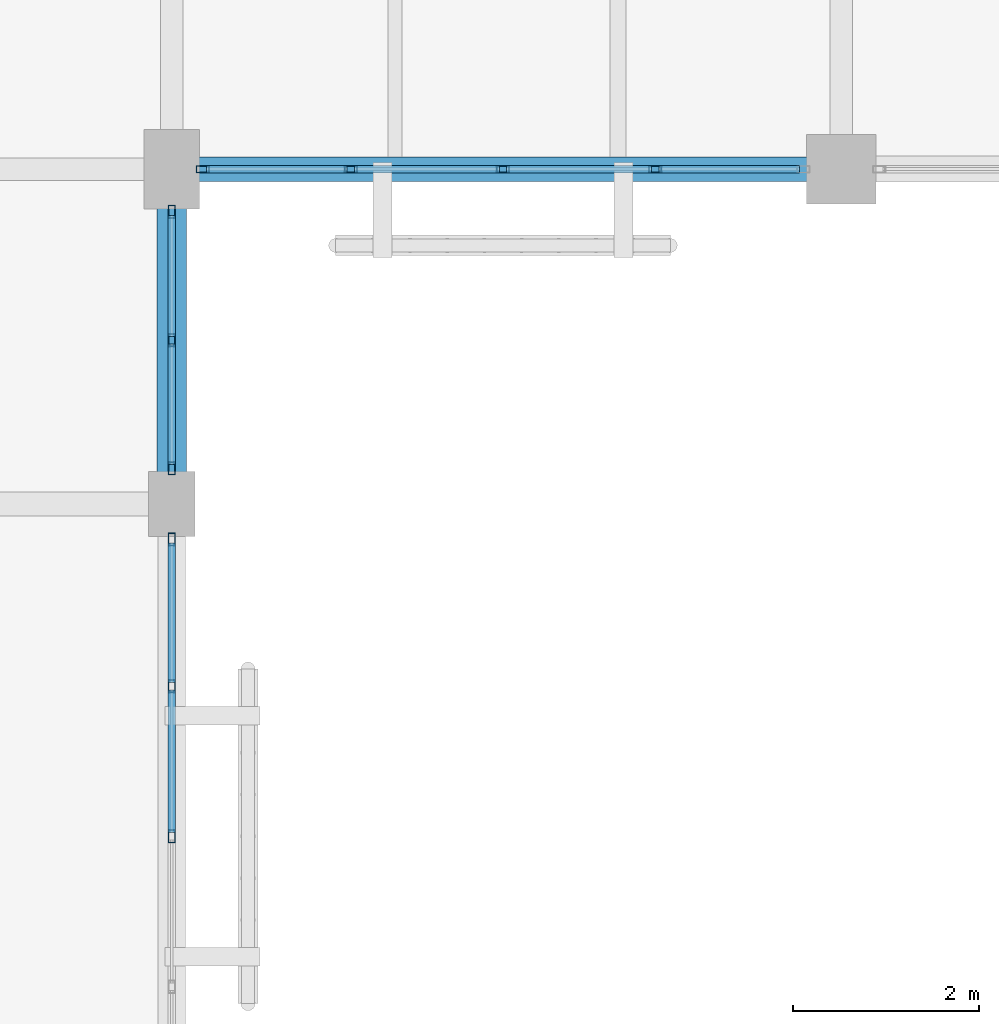
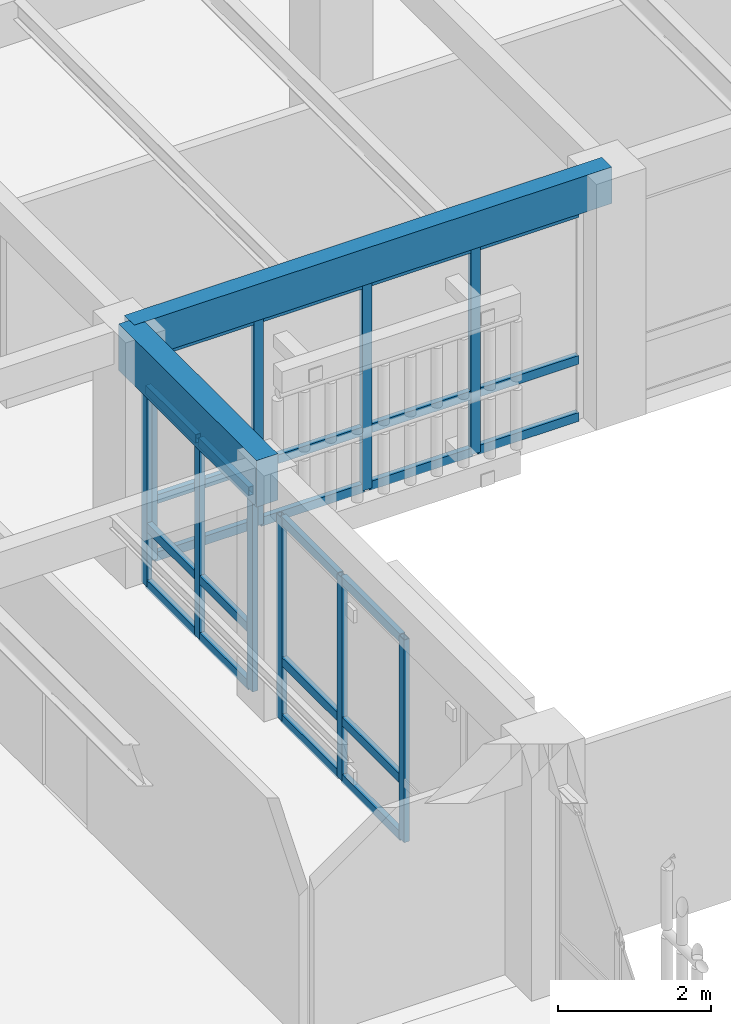
# One storey, part 106 of 170: 34 members, 2 beams, 3 elements without a shape of their own.
"""IFC4 building model written with IfcOpenShell, lengths in metres."""

from ifc_helpers import new_model, si_unit, direction, frame, origin, origin_2d, place, context, subcontext, project, spatial, rectangle, hollow_rectangle, extrude, material, layer, layer_set, material_profile, profile_set, type_object, element, aggregate, save


model = new_model("IFC4")

# Units and contexts
model_context = context("Model", 3, precision=1e-05, world=origin(), true_north=direction((0.0, 1.0)))
body_context = subcontext(model_context, "Body", "Model", "MODEL_VIEW")
ifc_project = project(units=[si_unit("LENGTHUNIT", "METRE"), si_unit("AREAUNIT", "SQUARE_METRE"), si_unit("VOLUMEUNIT", "CUBIC_METRE"), si_unit("PLANEANGLEUNIT", "RADIAN"), si_unit("MASSUNIT", "GRAM", prefix="KILO")], contexts=[model_context])

# Site, building, storey
site_placement = place(None, origin())
site = spatial("IfcSite", under=ifc_project, at=site_placement, CompositionType="ELEMENT")
building_placement = place(site_placement, origin())
building = spatial("IfcBuilding", under=site, at=building_placement, Name="Mazaris Harbour Polytechnic", CompositionType="ELEMENT")
storey_placement = place(building_placement, frame((0.0, 0.0, 5.39990234375)))
storey = spatial("IfcBuildingStorey", under=building, at=storey_placement, Name="L01", CompositionType="ELEMENT", Elevation=5.39990234375)

# Curtain wall, members
ifc_material_1 = material(Name="Anodised Bronze Aluminium and Low-E Glass", Category="aluminium")
ifc_layer = layer(ifc_material_1, 0.169921875, Name="Anodised Bronze Aluminium and Low-E Glass")
ifc_layer_set = layer_set([ifc_layer], Name="Anodised Bronze Aluminium and Low-E Glass")
curtain_wall_type = type_object("IfcCurtainWallType", Name="Studio North-Light Curtain Wall", PredefinedType="NOTDEFINED", material=ifc_layer_set)
curtain_wall_1_placement = place(storey_placement, origin())
curtain_wall_1 = element("IfcCurtainWall", 1, at=curtain_wall_1_placement, inside=storey, type_object=curtain_wall_type, Name="V5 L01 Curtain Wall 216", PredefinedType="NOTDEFINED")
ifc_material_2 = material(Name="Anodised Bronze Steel S355", Category="steel")
ifc_material_profile_1 = material_profile(ifc_material_2, hollow_rectangle(XDim=0.080078125, YDim=0.139892578125, WallThickness=0.00634765625, at=origin_2d()), Name="RHS 80x140x6.3")
ifc_profile_set_1 = profile_set([ifc_material_profile_1], Name="Anodised Bronze Steel S355")
member_type_1 = type_object("IfcMemberType", Name="Curtain Mullion RHS80x140", PredefinedType="MULLION", material=ifc_profile_set_1)
member_1_placement = place(storey_placement, frame((141.997802734375, 86.39990234375, 0.0), z_axis=(0.0, 0.0, 1.0), x_axis=(0.0, -1.0, 0.0)))
member_1 = element("IfcMember", 2, at=member_1_placement, type_object=member_type_1, Name="CW-03 mullion 2", PredefinedType="MULLION", context=body_context, shape_type="SweptSolid", body=[
    extrude(hollow_rectangle(XDim=0.080078125, YDim=0.139892578125, WallThickness=0.00634765625, at=origin_2d()), origin(), (0.0, 0.0, 1.0), 3.330078125),
])
member_2_placement = place(storey_placement, frame((140.362548828125, 86.39990234375, 0.0), z_axis=(0.0, 0.0, 1.0), x_axis=(0.0, -1.0, 0.0)))
member_2 = element("IfcMember", 3, at=member_2_placement, type_object=member_type_1, Name="CW-03 mullion 3", PredefinedType="MULLION", context=body_context, shape_type="SweptSolid", body=[
    extrude(hollow_rectangle(XDim=0.080078125, YDim=0.139892578125, WallThickness=0.00634765625, at=origin_2d()), origin(), (0.0, 0.0, 1.0), 3.330078125),
])
member_3_placement = place(storey_placement, frame((138.727294921875, 86.39990234375, 0.0), z_axis=(0.0, 0.0, 1.0), x_axis=(0.0, -1.0, 0.0)))
member_3 = element("IfcMember", 4, at=member_3_placement, type_object=member_type_1, Name="CW-03 mullion 4", PredefinedType="MULLION", context=body_context, shape_type="SweptSolid", body=[
    extrude(hollow_rectangle(XDim=0.080078125, YDim=0.139892578125, WallThickness=0.00634765625, at=origin_2d()), origin(), (0.0, 0.0, 1.0), 3.330078125),
])
member_4_placement = place(storey_placement, frame((137.132080078125, 86.39990234375, 0.0), z_axis=(0.0, 0.0, 1.0), x_axis=(0.0, -1.0, 0.0)))
member_4 = element("IfcMember", 5, at=member_4_placement, type_object=member_type_1, Name="CW-03 mullion 5", PredefinedType="MULLION", context=body_context, shape_type="SweptSolid", body=[
    extrude(hollow_rectangle(XDim=0.080078125, YDim=0.139892578125, WallThickness=0.00634765625, at=origin_2d()), origin(), (0.0, 0.0, 1.0), 3.330078125),
])

curtain_wall_2_placement = place(storey_placement, origin())
curtain_wall_2 = element("IfcCurtainWall", 6, at=curtain_wall_2_placement, inside=storey, type_object=curtain_wall_type, Name="V5 L01 Curtain Wall 221", PredefinedType="NOTDEFINED")
member_5_placement = place(storey_placement, frame((136.800048828125, 79.22509765625, 0.0), z_axis=(0.0, 0.0, 1.0), x_axis=(-1.0, 0.0, 0.0)))
member_5 = element("IfcMember", 7, at=member_5_placement, type_object=member_type_1, Name="CW-03 mullion 3", PredefinedType="MULLION", context=body_context, shape_type="SweptSolid", body=[
    extrude(hollow_rectangle(XDim=0.080078125, YDim=0.139892578125, WallThickness=0.00634765625, at=origin_2d()), origin(), (0.0, 0.0, 1.0), 3.22998046875),
])
member_6_placement = place(storey_placement, frame((136.800048828125, 80.841552734375, 0.0), z_axis=(0.0, 0.0, 1.0), x_axis=(-1.0, 0.0, 0.0)))
member_6 = element("IfcMember", 8, at=member_6_placement, type_object=member_type_1, Name="CW-03 mullion 4", PredefinedType="MULLION", context=body_context, shape_type="SweptSolid", body=[
    extrude(hollow_rectangle(XDim=0.080078125, YDim=0.139892578125, WallThickness=0.00634765625, at=origin_2d()), origin(), (0.0, 0.0, 1.0), 3.22998046875),
])
member_7_placement = place(storey_placement, frame((136.800048828125, 82.41796875, 0.0), z_axis=(0.0, 0.0, 1.0), x_axis=(-1.0, 0.0, 0.0)))
member_7 = element("IfcMember", 9, at=member_7_placement, type_object=member_type_1, Name="CW-03 mullion 5", PredefinedType="MULLION", context=body_context, shape_type="SweptSolid", body=[
    extrude(hollow_rectangle(XDim=0.080078125, YDim=0.139892578125, WallThickness=0.00634765625, at=origin_2d()), origin(), (0.0, 0.0, 1.0), 3.22998046875),
])

curtain_wall_3_placement = place(storey_placement, origin())
curtain_wall_3 = element("IfcCurtainWall", 10, at=curtain_wall_3_placement, inside=storey, type_object=curtain_wall_type, Name="V5 L01 Curtain Wall 222", PredefinedType="NOTDEFINED")
member_8_placement = place(storey_placement, frame((136.800048828125, 83.181884765625, 0.0), z_axis=(0.0, 0.0, 1.0), x_axis=(-1.0, 0.0, 0.0)))
member_8 = element("IfcMember", 11, at=member_8_placement, type_object=member_type_1, Name="CW-03 mullion 1", PredefinedType="MULLION", context=body_context, shape_type="SweptSolid", body=[
    extrude(hollow_rectangle(XDim=0.080078125, YDim=0.139892578125, WallThickness=0.00634765625, at=origin_2d()), origin(), (0.0, 0.0, 1.0), 3.170166015625),
])
member_9_placement = place(storey_placement, frame((136.800048828125, 84.5625, 0.0), z_axis=(0.0, 0.0, 1.0), x_axis=(-1.0, 0.0, 0.0)))
member_9 = element("IfcMember", 12, at=member_9_placement, type_object=member_type_1, Name="CW-03 mullion 2", PredefinedType="MULLION", context=body_context, shape_type="SweptSolid", body=[
    extrude(hollow_rectangle(XDim=0.080078125, YDim=0.139892578125, WallThickness=0.00634765625, at=origin_2d()), origin(), (0.0, 0.0, 1.0), 3.170166015625),
])
member_10_placement = place(storey_placement, frame((136.800048828125, 85.943115234375, 0.0), z_axis=(0.0, 0.0, 1.0), x_axis=(-1.0, 0.0, 0.0)))
member_10 = element("IfcMember", 13, at=member_10_placement, type_object=member_type_1, Name="CW-03 mullion 3", PredefinedType="MULLION", context=body_context, shape_type="SweptSolid", body=[
    extrude(hollow_rectangle(XDim=0.080078125, YDim=0.139892578125, WallThickness=0.00634765625, at=origin_2d()), origin(), (0.0, 0.0, 1.0), 3.170166015625),
])

# Member
ifc_material_3 = material(Name="Anodised Bronze Steel S355", Category="steel")
ifc_material_profile_2 = material_profile(ifc_material_3, hollow_rectangle(XDim=0.080078125, YDim=0.139892578125, WallThickness=0.00634765625, at=origin_2d()), Name="RHS 80x140x6.3")
ifc_profile_set_2 = profile_set([ifc_material_profile_2], Name="Anodised Bronze Steel S355")
member_type_2 = type_object("IfcMemberType", Name="Curtain Transom RHS80x140", PredefinedType="USERDEFINED", material=ifc_profile_set_2)
member_11_placement = place(storey_placement, frame((143.552978515625, 86.39990234375, 0.0400390625), z_axis=(-1.0, 0.0, 0.0), x_axis=(0.0, -1.0, 0.0)))
member_11 = element("IfcMember", 14, at=member_11_placement, type_object=member_type_2, Name="CW-03 transom 1.1", ObjectType="TRANSOM", PredefinedType="USERDEFINED", context=body_context, shape_type="SweptSolid", body=[
    extrude(hollow_rectangle(XDim=0.080078125, YDim=0.139892578125, WallThickness=0.00634765625, at=origin_2d()), origin(), (0.0, 0.0, 1.0), 1.51513671875),
])

member_12_placement = place(storey_placement, frame((143.552978515625, 86.39990234375, 0.9501953125), z_axis=(-1.0, 0.0, 0.0), x_axis=(0.0, -1.0, 0.0)))
member_12 = element("IfcMember", 15, at=member_12_placement, type_object=member_type_2, Name="CW-03 transom 1.2", ObjectType="TRANSOM", PredefinedType="USERDEFINED", context=body_context, shape_type="SweptSolid", body=[
    extrude(hollow_rectangle(XDim=0.080078125, YDim=0.139892578125, WallThickness=0.00634765625, at=origin_2d()), origin(), (0.0, 0.0, 1.0), 1.51513671875),
])

member_13_placement = place(storey_placement, frame((143.552978515625, 86.39990234375, 3.2900390625), z_axis=(-1.0, 0.0, 0.0), x_axis=(0.0, -1.0, 0.0)))
member_13 = element("IfcMember", 16, at=member_13_placement, type_object=member_type_2, Name="CW-03 transom 1.3", ObjectType="TRANSOM", PredefinedType="USERDEFINED", context=body_context, shape_type="SweptSolid", body=[
    extrude(hollow_rectangle(XDim=0.080078125, YDim=0.139892578125, WallThickness=0.00634765625, at=origin_2d()), origin(), (0.0, 0.0, 1.0), 1.51513671875),
])

member_14_placement = place(storey_placement, frame((141.957763671875, 86.39990234375, 0.0400390625), z_axis=(-1.0, 0.0, 0.0), x_axis=(0.0, -1.0, 0.0)))
member_14 = element("IfcMember", 17, at=member_14_placement, type_object=member_type_2, Name="CW-03 transom 2.1", ObjectType="TRANSOM", PredefinedType="USERDEFINED", context=body_context, shape_type="SweptSolid", body=[
    extrude(hollow_rectangle(XDim=0.080078125, YDim=0.139892578125, WallThickness=0.00634765625, at=origin_2d()), origin(), (0.0, 0.0, 1.0), 1.55517578125),
])

member_15_placement = place(storey_placement, frame((141.957763671875, 86.39990234375, 0.9501953125), z_axis=(-1.0, 0.0, 0.0), x_axis=(0.0, -1.0, 0.0)))
member_15 = element("IfcMember", 18, at=member_15_placement, type_object=member_type_2, Name="CW-03 transom 2.2", ObjectType="TRANSOM", PredefinedType="USERDEFINED", context=body_context, shape_type="SweptSolid", body=[
    extrude(hollow_rectangle(XDim=0.080078125, YDim=0.139892578125, WallThickness=0.00634765625, at=origin_2d()), origin(), (0.0, 0.0, 1.0), 1.55517578125),
])

member_16_placement = place(storey_placement, frame((141.957763671875, 86.39990234375, 3.2900390625), z_axis=(-1.0, 0.0, 0.0), x_axis=(0.0, -1.0, 0.0)))
member_16 = element("IfcMember", 19, at=member_16_placement, type_object=member_type_2, Name="CW-03 transom 2.3", ObjectType="TRANSOM", PredefinedType="USERDEFINED", context=body_context, shape_type="SweptSolid", body=[
    extrude(hollow_rectangle(XDim=0.080078125, YDim=0.139892578125, WallThickness=0.00634765625, at=origin_2d()), origin(), (0.0, 0.0, 1.0), 1.55517578125),
])

member_17_placement = place(storey_placement, frame((140.322509765625, 86.39990234375, 0.0400390625), z_axis=(-1.0, 0.0, 0.0), x_axis=(0.0, -1.0, 0.0)))
member_17 = element("IfcMember", 20, at=member_17_placement, type_object=member_type_2, Name="CW-03 transom 3.1", ObjectType="TRANSOM", PredefinedType="USERDEFINED", context=body_context, shape_type="SweptSolid", body=[
    extrude(hollow_rectangle(XDim=0.080078125, YDim=0.139892578125, WallThickness=0.00634765625, at=origin_2d()), origin(), (0.0, 0.0, 1.0), 1.55517578125),
])

member_18_placement = place(storey_placement, frame((140.322509765625, 86.39990234375, 0.9501953125), z_axis=(-1.0, 0.0, 0.0), x_axis=(0.0, -1.0, 0.0)))
member_18 = element("IfcMember", 21, at=member_18_placement, type_object=member_type_2, Name="CW-03 transom 3.2", ObjectType="TRANSOM", PredefinedType="USERDEFINED", context=body_context, shape_type="SweptSolid", body=[
    extrude(hollow_rectangle(XDim=0.080078125, YDim=0.139892578125, WallThickness=0.00634765625, at=origin_2d()), origin(), (0.0, 0.0, 1.0), 1.55517578125),
])

member_19_placement = place(storey_placement, frame((140.322509765625, 86.39990234375, 3.2900390625), z_axis=(-1.0, 0.0, 0.0), x_axis=(0.0, -1.0, 0.0)))
member_19 = element("IfcMember", 22, at=member_19_placement, type_object=member_type_2, Name="CW-03 transom 3.3", ObjectType="TRANSOM", PredefinedType="USERDEFINED", context=body_context, shape_type="SweptSolid", body=[
    extrude(hollow_rectangle(XDim=0.080078125, YDim=0.139892578125, WallThickness=0.00634765625, at=origin_2d()), origin(), (0.0, 0.0, 1.0), 1.55517578125),
])

member_20_placement = place(storey_placement, frame((138.687255859375, 86.39990234375, 0.0400390625), z_axis=(-1.0, 0.0, 0.0), x_axis=(0.0, -1.0, 0.0)))
member_20 = element("IfcMember", 23, at=member_20_placement, type_object=member_type_2, Name="CW-03 transom 4.1", ObjectType="TRANSOM", PredefinedType="USERDEFINED", context=body_context, shape_type="SweptSolid", body=[
    extrude(hollow_rectangle(XDim=0.080078125, YDim=0.139892578125, WallThickness=0.00634765625, at=origin_2d()), origin(), (0.0, 0.0, 1.0), 1.51513671875),
])

member_21_placement = place(storey_placement, frame((138.687255859375, 86.39990234375, 0.9501953125), z_axis=(-1.0, 0.0, 0.0), x_axis=(0.0, -1.0, 0.0)))
member_21 = element("IfcMember", 24, at=member_21_placement, type_object=member_type_2, Name="CW-03 transom 4.2", ObjectType="TRANSOM", PredefinedType="USERDEFINED", context=body_context, shape_type="SweptSolid", body=[
    extrude(hollow_rectangle(XDim=0.080078125, YDim=0.139892578125, WallThickness=0.00634765625, at=origin_2d()), origin(), (0.0, 0.0, 1.0), 1.51513671875),
])

member_22_placement = place(storey_placement, frame((138.687255859375, 86.39990234375, 3.2900390625), z_axis=(-1.0, 0.0, 0.0), x_axis=(0.0, -1.0, 0.0)))
member_22 = element("IfcMember", 25, at=member_22_placement, type_object=member_type_2, Name="CW-03 transom 4.3", ObjectType="TRANSOM", PredefinedType="USERDEFINED", context=body_context, shape_type="SweptSolid", body=[
    extrude(hollow_rectangle(XDim=0.080078125, YDim=0.139892578125, WallThickness=0.00634765625, at=origin_2d()), origin(), (0.0, 0.0, 1.0), 1.51513671875),
])

aggregate(curtain_wall_1, [member_1, member_2, member_3, member_4, member_11, member_12, member_13, member_14, member_15, member_16, member_17, member_18, member_19, member_20, member_21, member_22])

member_23_placement = place(storey_placement, frame((136.800048828125, 79.264892578125, 0.0400390625), z_axis=(0.0, 1.0, 0.0), x_axis=(-1.0, 0.0, 0.0)))
member_23 = element("IfcMember", 26, at=member_23_placement, type_object=member_type_2, Name="CW-03 transom 3.1", ObjectType="TRANSOM", PredefinedType="USERDEFINED", context=body_context, shape_type="SweptSolid", body=[
    extrude(hollow_rectangle(XDim=0.080078125, YDim=0.139892578125, WallThickness=0.00634765625, at=origin_2d()), origin(), (0.0, 0.0, 1.0), 1.53662109375),
])

member_24_placement = place(storey_placement, frame((136.800048828125, 79.264892578125, 0.9501953125), z_axis=(0.0, 1.0, 0.0), x_axis=(-1.0, 0.0, 0.0)))
member_24 = element("IfcMember", 27, at=member_24_placement, type_object=member_type_2, Name="CW-03 transom 3.2", ObjectType="TRANSOM", PredefinedType="USERDEFINED", context=body_context, shape_type="SweptSolid", body=[
    extrude(hollow_rectangle(XDim=0.080078125, YDim=0.139892578125, WallThickness=0.00634765625, at=origin_2d()), origin(), (0.0, 0.0, 1.0), 1.53662109375),
])

member_25_placement = place(storey_placement, frame((136.800048828125, 79.264892578125, 3.190185546875), z_axis=(0.0, 1.0, 0.0), x_axis=(-1.0, 0.0, 0.0)))
member_25 = element("IfcMember", 28, at=member_25_placement, type_object=member_type_2, Name="CW-03 transom 3.3", ObjectType="TRANSOM", PredefinedType="USERDEFINED", context=body_context, shape_type="SweptSolid", body=[
    extrude(hollow_rectangle(XDim=0.080078125, YDim=0.139892578125, WallThickness=0.00634765625, at=origin_2d()), origin(), (0.0, 0.0, 1.0), 1.53662109375),
])

member_26_placement = place(storey_placement, frame((136.800048828125, 80.881591796875, 0.0400390625), z_axis=(0.0, 1.0, 0.0), x_axis=(-1.0, 0.0, 0.0)))
member_26 = element("IfcMember", 29, at=member_26_placement, type_object=member_type_2, Name="CW-03 transom 4.1", ObjectType="TRANSOM", PredefinedType="USERDEFINED", context=body_context, shape_type="SweptSolid", body=[
    extrude(hollow_rectangle(XDim=0.080078125, YDim=0.139892578125, WallThickness=0.00634765625, at=origin_2d()), origin(), (0.0, 0.0, 1.0), 1.496337890625),
])

member_27_placement = place(storey_placement, frame((136.800048828125, 80.881591796875, 0.9501953125), z_axis=(0.0, 1.0, 0.0), x_axis=(-1.0, 0.0, 0.0)))
member_27 = element("IfcMember", 30, at=member_27_placement, type_object=member_type_2, Name="CW-03 transom 4.2", ObjectType="TRANSOM", PredefinedType="USERDEFINED", context=body_context, shape_type="SweptSolid", body=[
    extrude(hollow_rectangle(XDim=0.080078125, YDim=0.139892578125, WallThickness=0.00634765625, at=origin_2d()), origin(), (0.0, 0.0, 1.0), 1.496337890625),
])

member_28_placement = place(storey_placement, frame((136.800048828125, 80.881591796875, 3.190185546875), z_axis=(0.0, 1.0, 0.0), x_axis=(-1.0, 0.0, 0.0)))
member_28 = element("IfcMember", 31, at=member_28_placement, type_object=member_type_2, Name="CW-03 transom 4.3", ObjectType="TRANSOM", PredefinedType="USERDEFINED", context=body_context, shape_type="SweptSolid", body=[
    extrude(hollow_rectangle(XDim=0.080078125, YDim=0.139892578125, WallThickness=0.00634765625, at=origin_2d()), origin(), (0.0, 0.0, 1.0), 1.496337890625),
])

aggregate(curtain_wall_2, [member_5, member_6, member_7, member_23, member_24, member_25, member_26, member_27, member_28])

member_29_placement = place(storey_placement, frame((136.800048828125, 83.221923828125, 0.0400390625), z_axis=(0.0, 1.0, 0.0), x_axis=(-1.0, 0.0, 0.0)))
member_29 = element("IfcMember", 32, at=member_29_placement, type_object=member_type_2, Name="CW-03 transom 1.1", ObjectType="TRANSOM", PredefinedType="USERDEFINED", context=body_context, shape_type="SweptSolid", body=[
    extrude(hollow_rectangle(XDim=0.080078125, YDim=0.139892578125, WallThickness=0.00634765625, at=origin_2d()), origin(), (0.0, 0.0, 1.0), 1.300537109375),
])

member_30_placement = place(storey_placement, frame((136.800048828125, 83.221923828125, 0.9501953125), z_axis=(0.0, 1.0, 0.0), x_axis=(-1.0, 0.0, 0.0)))
member_30 = element("IfcMember", 33, at=member_30_placement, type_object=member_type_2, Name="CW-03 transom 1.2", ObjectType="TRANSOM", PredefinedType="USERDEFINED", context=body_context, shape_type="SweptSolid", body=[
    extrude(hollow_rectangle(XDim=0.080078125, YDim=0.139892578125, WallThickness=0.00634765625, at=origin_2d()), origin(), (0.0, 0.0, 1.0), 1.300537109375),
])

member_31_placement = place(storey_placement, frame((136.800048828125, 83.221923828125, 3.130126953125), z_axis=(0.0, 1.0, 0.0), x_axis=(-1.0, 0.0, 0.0)))
member_31 = element("IfcMember", 34, at=member_31_placement, type_object=member_type_2, Name="CW-03 transom 1.3", ObjectType="TRANSOM", PredefinedType="USERDEFINED", context=body_context, shape_type="SweptSolid", body=[
    extrude(hollow_rectangle(XDim=0.080078125, YDim=0.139892578125, WallThickness=0.00634765625, at=origin_2d()), origin(), (0.0, 0.0, 1.0), 1.300537109375),
])

member_32_placement = place(storey_placement, frame((136.800048828125, 84.6025390625, 0.0400390625), z_axis=(0.0, 1.0, 0.0), x_axis=(-1.0, 0.0, 0.0)))
member_32 = element("IfcMember", 35, at=member_32_placement, type_object=member_type_2, Name="CW-03 transom 2.1", ObjectType="TRANSOM", PredefinedType="USERDEFINED", context=body_context, shape_type="SweptSolid", body=[
    extrude(hollow_rectangle(XDim=0.080078125, YDim=0.139892578125, WallThickness=0.00634765625, at=origin_2d()), origin(), (0.0, 0.0, 1.0), 1.300537109375),
])

member_33_placement = place(storey_placement, frame((136.800048828125, 84.6025390625, 0.9501953125), z_axis=(0.0, 1.0, 0.0), x_axis=(-1.0, 0.0, 0.0)))
member_33 = element("IfcMember", 36, at=member_33_placement, type_object=member_type_2, Name="CW-03 transom 2.2", ObjectType="TRANSOM", PredefinedType="USERDEFINED", context=body_context, shape_type="SweptSolid", body=[
    extrude(hollow_rectangle(XDim=0.080078125, YDim=0.139892578125, WallThickness=0.00634765625, at=origin_2d()), origin(), (0.0, 0.0, 1.0), 1.300537109375),
])

member_34_placement = place(storey_placement, frame((136.800048828125, 84.6025390625, 3.130126953125), z_axis=(0.0, 1.0, 0.0), x_axis=(-1.0, 0.0, 0.0)))
member_34 = element("IfcMember", 37, at=member_34_placement, type_object=member_type_2, Name="CW-03 transom 2.3", ObjectType="TRANSOM", PredefinedType="USERDEFINED", context=body_context, shape_type="SweptSolid", body=[
    extrude(hollow_rectangle(XDim=0.080078125, YDim=0.139892578125, WallThickness=0.00634765625, at=origin_2d()), origin(), (0.0, 0.0, 1.0), 1.300537109375),
])

aggregate(curtain_wall_3, [member_8, member_9, member_10, member_29, member_30, member_31, member_32, member_33, member_34])

# Beams
ifc_material_4 = material(Name="Glulam GL32h", Category="wood")
ifc_material_profile_3 = material_profile(ifc_material_4, rectangle(XDim=0.260009765625, YDim=0.580078125, at=origin_2d()), Name="RECT260x580")
ifc_profile_set_3 = profile_set([ifc_material_profile_3], Name="Glulam GL32h")
beam_type_1 = type_object("IfcBeamType", Name="Glulam Girder 260x580", PredefinedType="BEAM", material=ifc_profile_set_3)
beam_1_placement = place(storey_placement, frame((136.800048828125, 86.39990234375, 3.630126953125), z_axis=(1.0, 0.0, 0.0), x_axis=(0.0, 1.0, 0.0)))
element("IfcBeam", 38, at=beam_1_placement, inside=storey, type_object=beam_type_1, Name="V5 L01 Girder 2941", PredefinedType="BEAM", context=body_context, shape_type="SweptSolid", body=[
    extrude(rectangle(XDim=0.260009765625, YDim=0.580078125, at=origin_2d()), origin(), (0.0, 0.0, 1.0), 7.199951171875),
])
ifc_material_5 = material(Name="Glulam GL32h", Category="wood")
ifc_material_profile_4 = material_profile(ifc_material_5, rectangle(XDim=0.320068359375, YDim=0.739990234375, at=origin_2d()), Name="RECT320x740")
ifc_profile_set_4 = profile_set([ifc_material_profile_4], Name="Glulam GL32h")
beam_type_2 = type_object("IfcBeamType", Name="Glulam Girder 320x740", PredefinedType="BEAM", material=ifc_profile_set_4)
beam_2_placement = place(storey_placement, frame((136.800048828125, 82.800048828125, 3.550048828125), z_axis=(0.0, 1.0, 0.0), x_axis=(-1.0, 0.0, 0.0)))
element("IfcBeam", 39, at=beam_2_placement, inside=storey, type_object=beam_type_2, Name="V5 L01 Tie Girder 2989", PredefinedType="BEAM", context=body_context, shape_type="SweptSolid", body=[
    extrude(rectangle(XDim=0.320068359375, YDim=0.739990234375, at=origin_2d()), origin(), (0.0, 0.0, 1.0), 3.599853515625),
])

save(model, "model.ifc")
